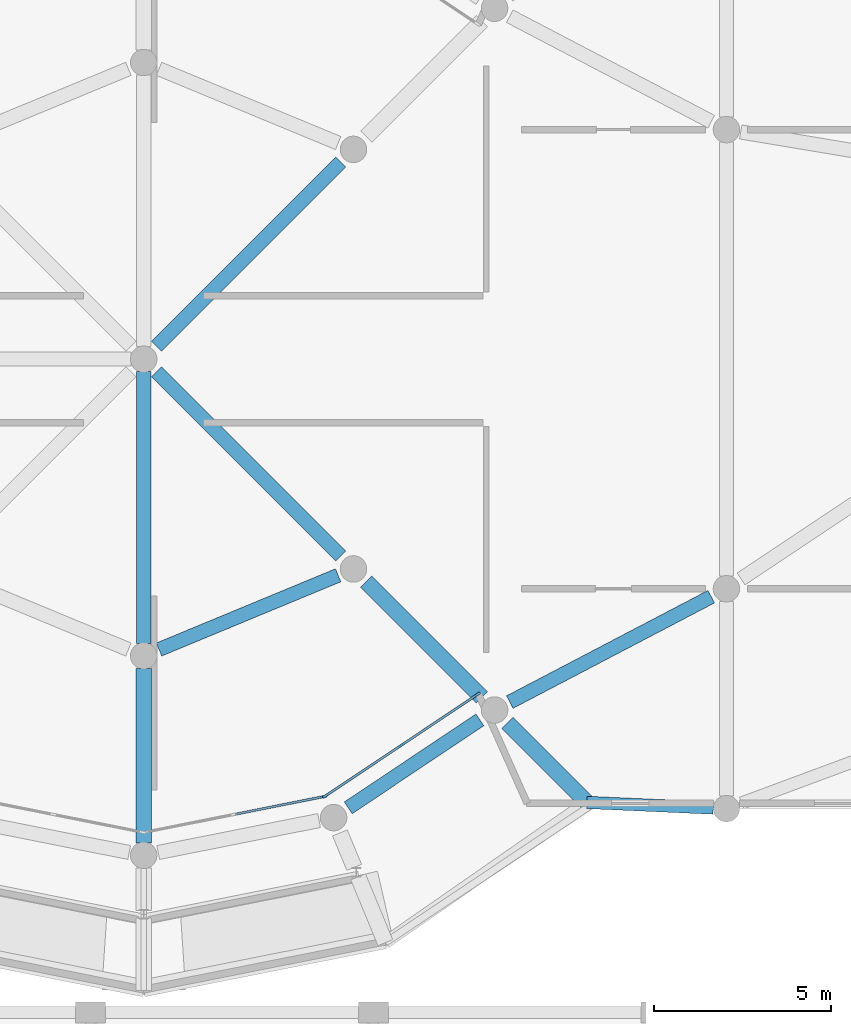
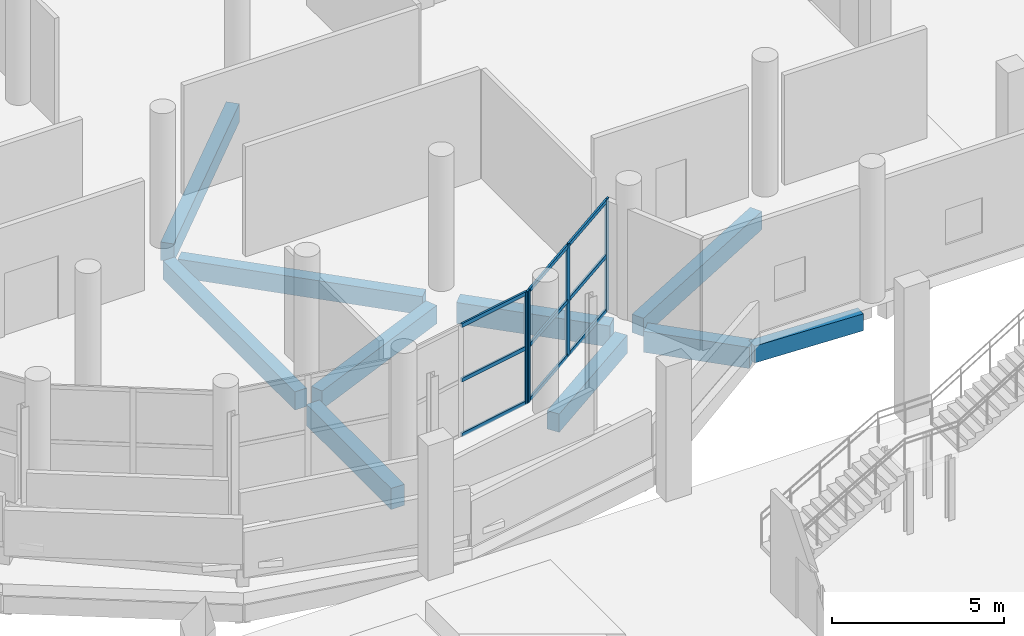
# One storey, part 31 of 117: 13 members, 10 beams, 2 elements without a shape of their own.
"""IFC4 building model written with IfcOpenShell, lengths in metres."""

from ifc_helpers import new_model, si_unit, direction, frame, origin, origin_2d, place, context, subcontext, project, spatial, rectangle, extrude, material, layer, layer_set, material_profile, profile_set, type_object, element, aggregate, save


model = new_model("IFC4")

# Units and contexts
model_context = context("Model", 3, precision=1e-05, world=origin(), true_north=direction((0.0, 1.0)))
body_context = subcontext(model_context, "Body", "Model", "MODEL_VIEW")
ifc_project = project(units=[si_unit("LENGTHUNIT", "METRE"), si_unit("AREAUNIT", "SQUARE_METRE"), si_unit("VOLUMEUNIT", "CUBIC_METRE"), si_unit("PLANEANGLEUNIT", "RADIAN"), si_unit("MASSUNIT", "GRAM", prefix="KILO")], contexts=[model_context])

# Site, building, storey
site_placement = place(None, origin())
site = spatial("IfcSite", under=ifc_project, at=site_placement, CompositionType="ELEMENT")
building_placement = place(site_placement, origin())
building = spatial("IfcBuilding", under=site, at=building_placement, Name="Jelvoka-Kovrelna Polytechnic", CompositionType="ELEMENT")
storey_placement = place(building_placement, origin())
storey = spatial("IfcBuildingStorey", under=building, at=storey_placement, Name="L01", CompositionType="ELEMENT", Elevation=0.0)

# Beams
ifc_material_1 = material(Name="Concrete C40/50", Category="concrete")
ifc_material_profile_1 = material_profile(ifc_material_1, rectangle(XDim=0.39990234375, YDim=0.64990234375, at=origin_2d()), Name="RC 400x650")
ifc_profile_set_1 = profile_set([ifc_material_profile_1], Name="Concrete C40/50")
beam_type_1 = type_object("IfcBeamType", Name="Beam_RC_400x650", PredefinedType="BEAM", material=ifc_profile_set_1)
beam_1_placement = place(storey_placement, frame((25.86083984375, 42.86083984375, -0.72998046875), z_axis=(0.707106781187, 0.707106781187, 0.0), x_axis=(-0.707106781187, 0.707106781187, 0.0)))
element("IfcBeam", 1, at=beam_1_placement, inside=storey, type_object=beam_type_1, Name="L01 beam 2317", PredefinedType="BEAM", context=body_context, shape_type="SweptSolid", body=[
    extrude(rectangle(XDim=0.39990234375, YDim=0.64990234375, at=origin_2d()), origin(), (0.0, 0.0, 1.0), 7.37939453125),
])
beam_2_placement = place(storey_placement, frame((25.5, 42.14501953125, -0.72998046875), z_axis=(0.0, -1.0, 0.0), x_axis=(1.0, 0.0, 0.0)))
element("IfcBeam", 2, at=beam_2_placement, inside=storey, type_object=beam_type_1, Name="L01 beam 2327", PredefinedType="BEAM", context=body_context, shape_type="SweptSolid", body=[
    extrude(rectangle(XDim=0.39990234375, YDim=0.64990234375, at=origin_2d()), origin(), (0.0, 0.0, 1.0), 7.68994140625),
])
beam_3_placement = place(storey_placement, frame((25.86083984375, 42.13916015625, -0.72998046875), z_axis=(0.707106781187, -0.707106781187, 0.0), x_axis=(0.707106781187, 0.707106781187, 0.0)))
element("IfcBeam", 3, at=beam_3_placement, inside=storey, type_object=beam_type_1, Name="L01 beam 2329", PredefinedType="BEAM", context=body_context, shape_type="SweptSolid", body=[
    extrude(rectangle(XDim=0.39990234375, YDim=0.64990234375, at=origin_2d()), origin(), (0.0, 0.0, 1.0), 7.37939453125),
])
beam_4_placement = place(storey_placement, frame((25.93408203125, 34.27978515625, -0.72998046875), z_axis=(0.923871015002, 0.382703994805, 0.0), x_axis=(-0.382703994805, 0.923871015002, 0.0)))
element("IfcBeam", 4, at=beam_4_placement, inside=storey, type_object=beam_type_1, Name="L01 beam 2336", PredefinedType="BEAM", context=body_context, shape_type="SweptSolid", body=[
    extrude(rectangle(XDim=0.39990234375, YDim=0.64990234375, at=origin_2d()), origin(), (0.0, 0.0, 1.0), 5.489501953125),
])
beam_5_placement = place(storey_placement, frame((31.29248046875, 29.79736328125, -0.72998046875), z_axis=(0.831496756319, 0.55552960698, 0.0), x_axis=(-0.55552960698, 0.831496756319, 0.0)))
element("IfcBeam", 5, at=beam_5_placement, inside=storey, type_object=beam_type_1, Name="L01 beam 2348", PredefinedType="BEAM", context=body_context, shape_type="SweptSolid", body=[
    extrude(rectangle(XDim=0.39990234375, YDim=0.64990234375, at=origin_2d()), origin(), (0.0, 0.0, 1.0), 4.481689453125),
])
beam_6_placement = place(storey_placement, frame((35.865478515625, 32.79052734375, -0.72998046875), z_axis=(0.886061545801, 0.463567618642, 0.0), x_axis=(-0.463567618642, 0.886061545801, 0.0)))
element("IfcBeam", 6, at=beam_6_placement, inside=storey, type_object=beam_type_1, Name="L01 beam 2391", PredefinedType="BEAM", context=body_context, shape_type="SweptSolid", body=[
    extrude(rectangle(XDim=0.39990234375, YDim=0.64990234375, at=origin_2d()), origin(), (0.0, 0.0, 1.0), 6.437255859375),
])
ifc_material_2 = material(Name="Concrete C40/50", Category="concrete")
ifc_material_profile_2 = material_profile(ifc_material_2, rectangle(XDim=0.449951171875, YDim=0.75, at=origin_2d()), Name="RC 450x750")
ifc_profile_set_2 = profile_set([ifc_material_profile_2], Name="Concrete C40/50")
beam_type_2 = type_object("IfcBeamType", Name="Beam_RC_450x750", PredefinedType="BEAM", material=ifc_profile_set_2)
beam_7_placement = place(storey_placement, frame((25.5, 33.7451171875, -0.780029296875), z_axis=(0.0, -1.0, 0.0), x_axis=(1.0, 0.0, 0.0)))
element("IfcBeam", 7, at=beam_7_placement, inside=storey, type_object=beam_type_2, Name="L01 beam 2328", PredefinedType="BEAM", context=body_context, shape_type="SweptSolid", body=[
    extrude(rectangle(XDim=0.449951171875, YDim=0.75, at=origin_2d()), origin(), (0.0, 0.0, 1.0), 4.940185546875),
])
beam_8_placement = place(storey_placement, frame((31.800537109375, 36.199462890625, -0.780029296875), z_axis=(0.707106781187, -0.707106781187, 0.0), x_axis=(0.707106781187, 0.707106781187, 0.0)))
element("IfcBeam", 8, at=beam_8_placement, inside=storey, type_object=beam_type_2, Name="L01 beam 2330", PredefinedType="BEAM", context=body_context, shape_type="SweptSolid", body=[
    extrude(rectangle(XDim=0.449951171875, YDim=0.75, at=origin_2d()), origin(), (0.0, 0.0, 1.0), 4.62939453125),
])
beam_9_placement = place(storey_placement, frame((35.7958984375, 32.2041015625, -0.780029296875), z_axis=(0.707106781187, -0.707106781187, 0.0), x_axis=(0.707106781187, 0.707106781187, 0.0)))
element("IfcBeam", 9, at=beam_9_placement, inside=storey, type_object=beam_type_2, Name="L01 beam 2372", PredefinedType="BEAM", context=body_context, shape_type="SweptSolid", body=[
    extrude(rectangle(XDim=0.449951171875, YDim=0.75, at=origin_2d()), origin(), (0.0, 0.0, 1.0), 3.189208984375),
])

# Curtain wall, member
ifc_material_3 = material(Name="Anodised aluminium 6063-T6", Category="aluminium")
ifc_layer = layer(ifc_material_3, 0.179931640625)
ifc_layer_set = layer_set([ifc_layer], Name="Anodised aluminium 6063-T6")
curtain_wall_type = type_object("IfcCurtainWallType", Name="CW_Pavilion", PredefinedType="NOTDEFINED", material=ifc_layer_set)
curtain_wall_1_placement = place(storey_placement, origin())
curtain_wall_1 = element("IfcCurtainWall", 10, at=curtain_wall_1_placement, inside=storey, type_object=curtain_wall_type, Name="L01 glazed curtain wall 220", PredefinedType="NOTDEFINED")
ifc_material_4 = material(Name="Anodised aluminium 6063-T6", Category="aluminium")
ifc_material_profile_3 = material_profile(ifc_material_4, rectangle(XDim=0.06494140625, YDim=0.179931640625, at=origin_2d()), Name="ALU 65x180")
ifc_profile_set_3 = profile_set([ifc_material_profile_3], Name="Anodised aluminium 6063-T6")
member_type_1 = type_object("IfcMemberType", Name="Mullion_M-05", PredefinedType="MULLION", material=ifc_profile_set_3)
member_1_placement = place(storey_placement, frame((30.59619140625, 30.11376953125, -0.02490234375), z_axis=(0.0, 0.0, 1.0), x_axis=(0.195086160371, -0.980786108197, 0.0)))
member_1 = element("IfcMember", 11, at=member_1_placement, type_object=member_type_1, Name="CW-05 mullion 1", PredefinedType="MULLION", context=body_context, shape_type="SweptSolid", body=[
    extrude(rectangle(XDim=0.06494140625, YDim=0.179931640625, at=origin_2d()), origin(), (0.0, 0.0, 1.0), 4.0),
])

# Curtain wall, members
curtain_wall_2_placement = place(storey_placement, origin())
curtain_wall_2 = element("IfcCurtainWall", 12, at=curtain_wall_2_placement, inside=storey, type_object=curtain_wall_type, Name="L01 glazed curtain wall 221", PredefinedType="NOTDEFINED")
member_2_placement = place(storey_placement, frame((34.9482421875, 33.0068359375, -0.02490234375), z_axis=(0.0, 0.0, 1.0), x_axis=(0.555582639326, -0.83146132254, 0.0)))
member_2 = element("IfcMember", 13, at=member_2_placement, type_object=member_type_1, Name="CW-05 mullion 1", PredefinedType="MULLION", context=body_context, shape_type="SweptSolid", body=[
    extrude(rectangle(XDim=0.06494140625, YDim=0.179931640625, at=origin_2d()), origin(), (0.0, 0.0, 1.0), 4.0),
])
member_3_placement = place(storey_placement, frame((32.801513671875, 31.572509765625, -0.02490234375), z_axis=(0.0, 0.0, 1.0), x_axis=(0.555582639326, -0.83146132254, 0.0)))
member_3 = element("IfcMember", 14, at=member_3_placement, type_object=member_type_1, Name="CW-05 mullion 2", PredefinedType="MULLION", context=body_context, shape_type="SweptSolid", body=[
    extrude(rectangle(XDim=0.06494140625, YDim=0.179931640625, at=origin_2d()), origin(), (0.0, 0.0, 1.0), 4.0),
])
member_4_placement = place(storey_placement, frame((30.655029296875, 30.137939453125, -0.02490234375), z_axis=(0.0, 0.0, 1.0), x_axis=(0.555582639326, -0.83146132254, 0.0)))
member_4 = element("IfcMember", 15, at=member_4_placement, type_object=member_type_1, Name="CW-05 mullion 3", PredefinedType="MULLION", context=body_context, shape_type="SweptSolid", body=[
    extrude(rectangle(XDim=0.06494140625, YDim=0.179931640625, at=origin_2d()), origin(), (0.0, 0.0, 1.0), 4.0),
])

# Beam
ifc_material_5 = material(Name="Concrete C40/50", Category="concrete")
ifc_material_profile_4 = material_profile(ifc_material_5, rectangle(XDim=0.35009765625, YDim=0.60009765625, at=origin_2d()), Name="RC 350x600")
ifc_profile_set_4 = profile_set([ifc_material_profile_4], Name="Concrete C40/50")
beam_type_3 = type_object("IfcBeamType", Name="Spandrel_RC_350x600", PredefinedType="SPANDREL", material=ifc_profile_set_4)
beam_10_placement = place(storey_placement, frame((38.051025390625, 29.948974609375, -0.705078125), z_axis=(0.998999645375, -0.04471810081, 0.0), x_axis=(0.04471810081, 0.998999645375, 0.0)))
element("IfcBeam", 16, at=beam_10_placement, inside=storey, type_object=beam_type_3, Name="L01 beam 2387", PredefinedType="SPANDREL", context=body_context, shape_type="SweptSolid", body=[
    extrude(rectangle(XDim=0.35009765625, YDim=0.60009765625, at=origin_2d()), origin(), (0.0, 0.0, 1.0), 3.58154296875),
])

# Member
ifc_material_6 = material(Name="Anodised aluminium 6063-T6", Category="aluminium")
ifc_material_profile_5 = material_profile(ifc_material_6, rectangle(XDim=0.06494140625, YDim=0.135009765625, at=origin_2d()), Name="ALU 65x135")
ifc_profile_set_5 = profile_set([ifc_material_profile_5], Name="Anodised aluminium 6063-T6")
member_type_2 = type_object("IfcMemberType", Name="Transom_T-05", PredefinedType="USERDEFINED", material=ifc_profile_set_5)
member_5_placement = place(storey_placement, frame((30.564208984375, 30.107421875, 0.032470703125), z_axis=(-0.980785355287, -0.195089945547, 0.0), x_axis=(0.195089945547, -0.980785355287, 0.0)))
member_5 = element("IfcMember", 17, at=member_5_placement, type_object=member_type_2, Name="CW-05 transom 1.1", ObjectType="TRANSOM", PredefinedType="USERDEFINED", context=body_context, shape_type="SweptSolid", body=[
    extrude(rectangle(XDim=0.06494140625, YDim=0.135009765625, at=origin_2d()), origin(), (0.0, 0.0, 1.0), 2.5166015625),
])

member_6_placement = place(storey_placement, frame((30.564208984375, 30.107421875, 1.97509765625), z_axis=(-0.980785355287, -0.195089945547, 0.0), x_axis=(0.195089945547, -0.980785355287, 0.0)))
member_6 = element("IfcMember", 18, at=member_6_placement, type_object=member_type_2, Name="CW-05 transom 1.2", ObjectType="TRANSOM", PredefinedType="USERDEFINED", context=body_context, shape_type="SweptSolid", body=[
    extrude(rectangle(XDim=0.06494140625, YDim=0.135009765625, at=origin_2d()), origin(), (0.0, 0.0, 1.0), 2.5166015625),
])

member_7_placement = place(storey_placement, frame((30.564208984375, 30.107421875, 3.91748046875), z_axis=(-0.980785355287, -0.195089945547, 0.0), x_axis=(0.195089945547, -0.980785355287, 0.0)))
member_7 = element("IfcMember", 19, at=member_7_placement, type_object=member_type_2, Name="CW-05 transom 1.3", ObjectType="TRANSOM", PredefinedType="USERDEFINED", context=body_context, shape_type="SweptSolid", body=[
    extrude(rectangle(XDim=0.06494140625, YDim=0.135009765625, at=origin_2d()), origin(), (0.0, 0.0, 1.0), 2.5166015625),
])

aggregate(curtain_wall_1, [member_1, member_5, member_6, member_7])

member_8_placement = place(storey_placement, frame((34.921142578125, 32.98876953125, 0.032470703125), z_axis=(-0.831467779718, -0.555572975667, 0.0), x_axis=(0.555572975667, -0.831467779718, 0.0)))
member_8 = element("IfcMember", 20, at=member_8_placement, type_object=member_type_2, Name="CW-05 transom 1.1", ObjectType="TRANSOM", PredefinedType="USERDEFINED", context=body_context, shape_type="SweptSolid", body=[
    extrude(rectangle(XDim=0.06494140625, YDim=0.135009765625, at=origin_2d()), origin(), (0.0, 0.0, 1.0), 2.5166015625),
])

member_9_placement = place(storey_placement, frame((34.921142578125, 32.98876953125, 1.97509765625), z_axis=(-0.831467779718, -0.555572975667, 0.0), x_axis=(0.555572975667, -0.831467779718, 0.0)))
member_9 = element("IfcMember", 21, at=member_9_placement, type_object=member_type_2, Name="CW-05 transom 1.2", ObjectType="TRANSOM", PredefinedType="USERDEFINED", context=body_context, shape_type="SweptSolid", body=[
    extrude(rectangle(XDim=0.06494140625, YDim=0.135009765625, at=origin_2d()), origin(), (0.0, 0.0, 1.0), 2.5166015625),
])

member_10_placement = place(storey_placement, frame((34.921142578125, 32.98876953125, 3.91748046875), z_axis=(-0.831467779718, -0.555572975667, 0.0), x_axis=(0.555572975667, -0.831467779718, 0.0)))
member_10 = element("IfcMember", 22, at=member_10_placement, type_object=member_type_2, Name="CW-05 transom 1.3", ObjectType="TRANSOM", PredefinedType="USERDEFINED", context=body_context, shape_type="SweptSolid", body=[
    extrude(rectangle(XDim=0.06494140625, YDim=0.135009765625, at=origin_2d()), origin(), (0.0, 0.0, 1.0), 2.5166015625),
])

member_11_placement = place(storey_placement, frame((32.774658203125, 31.554443359375, 0.032470703125), z_axis=(-0.831422966795, -0.555640036612, 0.0), x_axis=(0.555640036612, -0.831422966795, 0.0)))
member_11 = element("IfcMember", 23, at=member_11_placement, type_object=member_type_2, Name="CW-05 transom 2.1", ObjectType="TRANSOM", PredefinedType="USERDEFINED", context=body_context, shape_type="SweptSolid", body=[
    extrude(rectangle(XDim=0.06494140625, YDim=0.135009765625, at=origin_2d()), origin(), (0.0, 0.0, 1.0), 2.516845703125),
])

member_12_placement = place(storey_placement, frame((32.774658203125, 31.554443359375, 1.97509765625), z_axis=(-0.831422966795, -0.555640036612, 0.0), x_axis=(0.555640036612, -0.831422966795, 0.0)))
member_12 = element("IfcMember", 24, at=member_12_placement, type_object=member_type_2, Name="CW-05 transom 2.2", ObjectType="TRANSOM", PredefinedType="USERDEFINED", context=body_context, shape_type="SweptSolid", body=[
    extrude(rectangle(XDim=0.06494140625, YDim=0.135009765625, at=origin_2d()), origin(), (0.0, 0.0, 1.0), 2.516845703125),
])

member_13_placement = place(storey_placement, frame((32.774658203125, 31.554443359375, 3.91748046875), z_axis=(-0.831422966795, -0.555640036612, 0.0), x_axis=(0.555640036612, -0.831422966795, 0.0)))
member_13 = element("IfcMember", 25, at=member_13_placement, type_object=member_type_2, Name="CW-05 transom 2.3", ObjectType="TRANSOM", PredefinedType="USERDEFINED", context=body_context, shape_type="SweptSolid", body=[
    extrude(rectangle(XDim=0.06494140625, YDim=0.135009765625, at=origin_2d()), origin(), (0.0, 0.0, 1.0), 2.516845703125),
])

aggregate(curtain_wall_2, [member_2, member_3, member_4, member_8, member_9, member_10, member_11, member_12, member_13])

save(model, "model.ifc")
